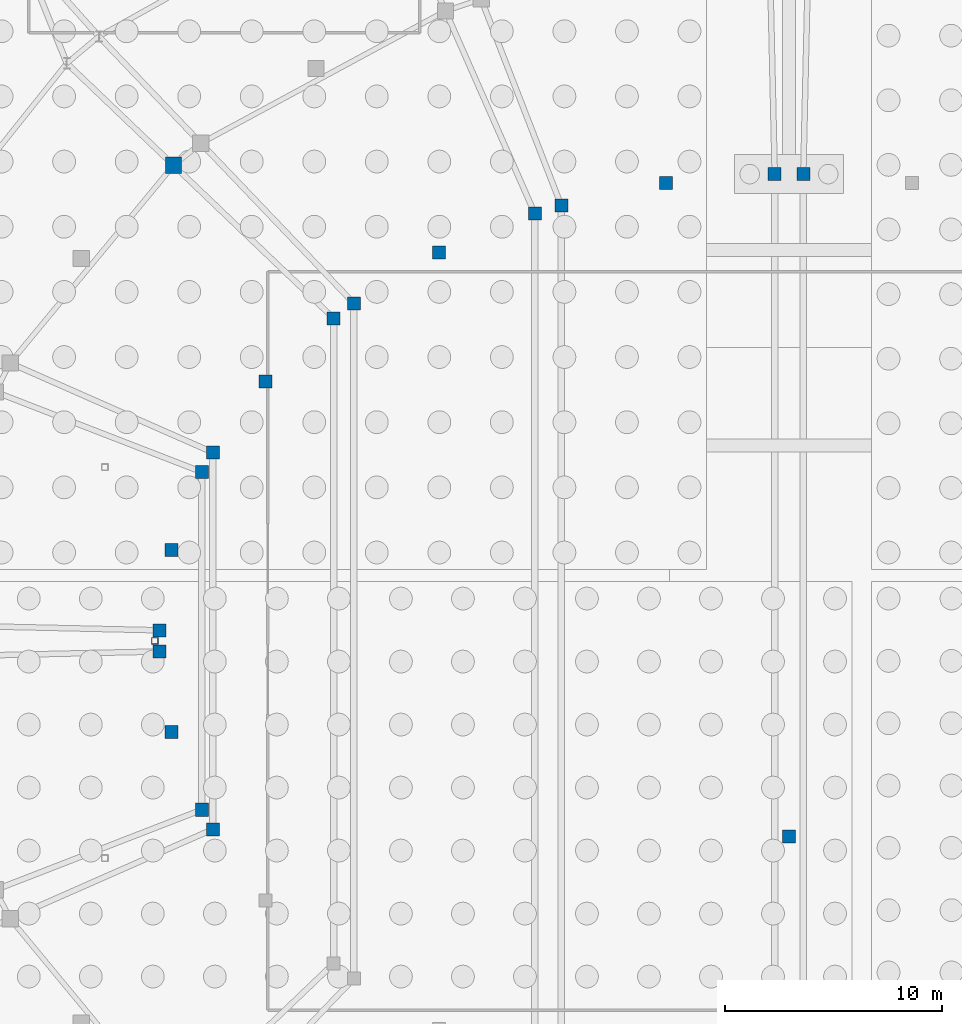
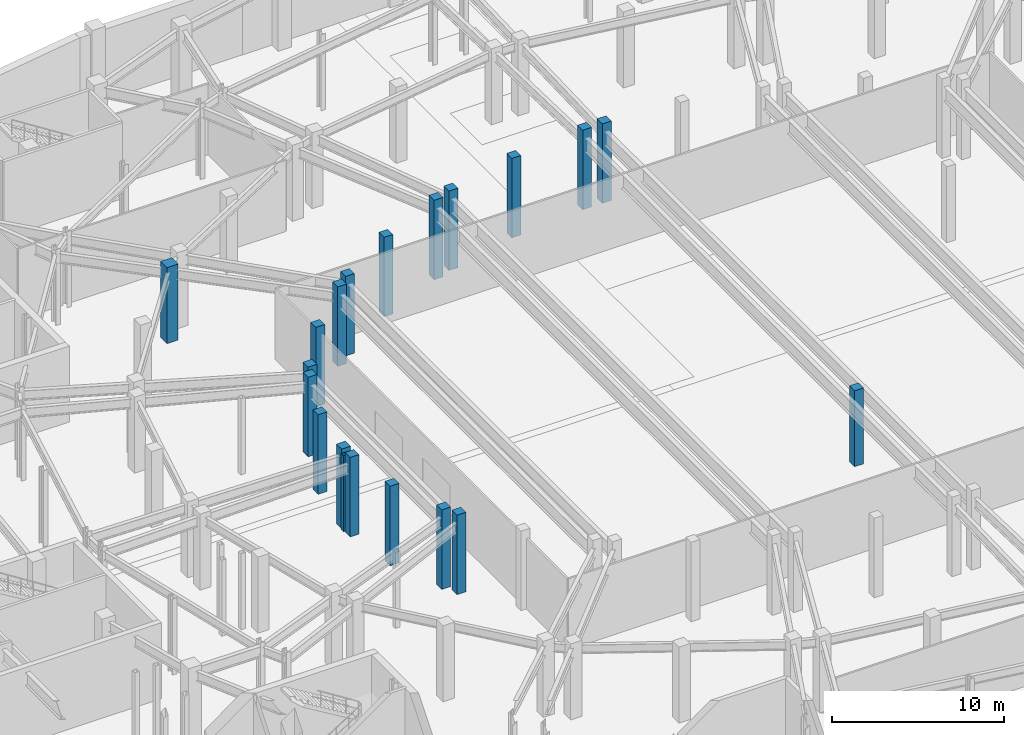
# One storey, part 21 of 56: 20 columns.
"""IFC4 building model written with IfcOpenShell, lengths in metres."""

from ifc_helpers import new_model, si_unit, direction, frame, origin, origin_2d, place, context, subcontext, project, spatial, rectangle, hollow_rectangle, extrude, material, material_profile, profile_set, type_object, element, save


model = new_model("IFC4")

# Units and contexts
model_context = context("Model", 3, precision=1e-05, world=origin(), true_north=direction((0.0, 1.0)))
body_context = subcontext(model_context, "Body", "Model", "MODEL_VIEW")
ifc_project = project(units=[si_unit("LENGTHUNIT", "METRE"), si_unit("AREAUNIT", "SQUARE_METRE"), si_unit("VOLUMEUNIT", "CUBIC_METRE"), si_unit("PLANEANGLEUNIT", "RADIAN"), si_unit("MASSUNIT", "GRAM", prefix="KILO")], contexts=[model_context])

# Site, building, storey
site_placement = place(None, origin())
site = spatial("IfcSite", under=ifc_project, at=site_placement, CompositionType="ELEMENT")
building_placement = place(site_placement, origin())
building = spatial("IfcBuilding", under=site, at=building_placement, Name="Glasvene Arena", CompositionType="ELEMENT")
storey_placement = place(building_placement, frame((0.0, 0.0, -5.39990234375)))
storey = spatial("IfcBuildingStorey", under=building, at=storey_placement, Name="B1", CompositionType="ELEMENT", Elevation=-5.39990234375)

# Columns
ifc_material_1 = material(Name="Concrete C40/50", Category="concrete")
ifc_material_profile_1 = material_profile(ifc_material_1, rectangle(XDim=0.60009765625, YDim=0.60009765625, at=origin_2d()), Name="RC 600x600")
ifc_profile_set_1 = profile_set([ifc_material_profile_1], Name="Concrete C40/50")
column_type_1 = type_object("IfcColumnType", Name="COL-IN-RC600", PredefinedType="COLUMN", material=ifc_profile_set_1)
for number, where, z_axis, x_axis, name in (
    (1, (92.657958984375, 94.494384765625, 0.0), (0.0, 0.0, 1.0), (1.0, 0.0, 0.0), "Inner pitch raker column B1 04-2"),
    (2, (91.342041015625, 94.494384765625, 0.0), (0.0, 0.0, 1.0), (1.0, 0.0, 0.0), "Inner pitch raker column B1 05-1"),
    (3, (81.512939453125, 93.044921875, 0.0), (0.0, 0.0, 1.0), (1.0, 0.0, 0.0), "Inner pitch raker column B1 05-2"),
    (4, (80.297119140625, 92.671630859375, 0.0), (0.0, 0.0, 1.0), (1.0, 0.0, 0.0), "Inner pitch raker column B1 06-1"),
    (5, (71.96435546875, 88.543701171875, 0.0), (0.0, 0.0, 1.0), (1.0, 0.0, 0.0), "Inner pitch raker column B1 06-2"),
    (6, (71.033935546875, 87.85400390625, 0.0), (0.0, 0.0, 1.0), (1.0, 0.0, 0.0), "Inner pitch raker column B1 07-1"),
    (7, (65.46630859375, 81.67626953125, 0.0), (0.0, 0.0, 1.0), (1.0, 0.0, 0.0), "Inner pitch raker column B1 07-2"),
    (8, (64.962646484375, 80.77490234375, 0.0), (0.0, 0.0, 1.0), (1.0, 0.0, 0.0), "Inner pitch raker column B1 08-1"),
    (9, (63.007568359375, 73.48779296875, 0.0), (0.0, 0.0, 1.0), (1.0, 0.0, 0.0), "Inner pitch raker column B1 08-2"),
    (10, (63.007568359375, 72.51220703125, 0.0), (0.0, 0.0, 1.0), (1.0, 0.0, 0.0), "Inner pitch raker column B1 09-1"),
    (11, (64.962646484375, 65.22509765625, 0.0), (0.0, 0.0, 1.0), (1.0, 0.0, 0.0), "Inner pitch raker column B1 09-2"),
    (12, (65.46630859375, 64.32373046875, 0.0), (0.0, 0.0, 1.0), (1.0, 0.0, 0.0), "Inner pitch raker column B1 10-1"),
):
    element("IfcColumn", number, at=place(storey_placement, frame(where, z_axis=z_axis, x_axis=x_axis)), inside=storey, type_object=column_type_1, Name=name, PredefinedType="COLUMN", context=body_context, shape_type="SweptSolid", body=[
        extrude(rectangle(XDim=0.60009765625, YDim=0.60009765625, at=origin_2d()), origin(), (0.0, 0.0, 1.0), 5.64990234375),
    ])
column_1_placement = place(storey_placement, frame((92.0, 64.0, 0.0), z_axis=(0.0, 0.0, 1.0), x_axis=(1.0, 0.0, 0.0)))
element("IfcColumn", 13, at=column_1_placement, inside=storey, type_object=column_type_1, Name="Event floor central support column B1-1", PredefinedType="COLUMN", context=body_context, shape_type="SweptSolid", body=[
    extrude(rectangle(XDim=0.60009765625, YDim=0.60009765625, at=origin_2d()), origin(), (0.0, 0.0, 1.0), 5.39990234375),
])
for number, where, z_axis, x_axis, name in (
    (14, (86.34228515625, 94.0869140625, 0.0), (0.0, 0.0, 1.0), (1.0, 0.0, 0.0), "Mid-sector pitch raker column 05"),
    (15, (75.888427734375, 90.876708984375, 0.0), (0.0, 0.0, 1.0), (1.0, 0.0, 0.0), "Mid-sector pitch raker column 06"),
    (16, (67.887451171875, 84.94482421875, 0.0), (0.0, 0.0, 1.0), (1.0, 0.0, 0.0), "Mid-sector pitch raker column 07"),
    (17, (63.55712890625, 77.1943359375, 0.0), (0.0, 0.0, 1.0), (1.0, 0.0, 0.0), "Mid-sector pitch raker column 08"),
    (18, (63.55712890625, 68.8056640625, 0.0), (0.0, 0.0, 1.0), (1.0, 0.0, 0.0), "Mid-sector pitch raker column 09"),
):
    element("IfcColumn", number, at=place(storey_placement, frame(where, z_axis=z_axis, x_axis=x_axis)), inside=storey, type_object=column_type_1, Name=name, PredefinedType="COLUMN", context=body_context, shape_type="SweptSolid", body=[
        extrude(rectangle(XDim=0.60009765625, YDim=0.60009765625, at=origin_2d()), origin(), (0.0, 0.0, 1.0), 5.64990234375),
    ])
ifc_material_profile_2 = material_profile(ifc_material_1, rectangle(XDim=0.75, YDim=0.75, at=origin_2d()), Name="RC 750x750")
ifc_profile_set_2 = profile_set([ifc_material_profile_2], Name="Concrete C40/50")
column_type_2 = type_object("IfcColumnType", Name="COL-MID-RC750", PredefinedType="COLUMN", material=ifc_profile_set_2)
column_2_placement = place(storey_placement, frame((63.65966796875, 94.90087890625, 0.0), z_axis=(0.0, 0.0, 1.0), x_axis=(1.0, 0.0, 0.0)))
element("IfcColumn", 19, at=column_2_placement, inside=storey, type_object=column_type_2, Name="Mid-bowl fulcrum column B1 07-1", PredefinedType="COLUMN", context=body_context, shape_type="SweptSolid", body=[
    extrude(rectangle(XDim=0.75, YDim=0.75, at=origin_2d()), origin(), (0.0, 0.0, 1.0), 5.39990234375),
])
ifc_material_2 = material(Name="Steel S355J2", Category="steel")
ifc_material_profile_3 = material_profile(ifc_material_2, hollow_rectangle(XDim=0.300048828125, YDim=0.300048828125, WallThickness=0.012451171875, at=origin_2d()), Name="SHS 300x300x12.5")
ifc_profile_set_3 = profile_set([ifc_material_profile_3], Name="Steel S355J2")
column_type_3 = type_object("IfcColumnType", Name="COL-W-SHS300", PredefinedType="COLUMN", material=ifc_profile_set_3)
column_3_placement = place(storey_placement, frame((62.800048828125, 73.0, 0.0), z_axis=(0.0, 0.0, 1.0), x_axis=(1.0, 0.0, 0.0)))
element("IfcColumn", 20, at=column_3_placement, inside=storey, type_object=column_type_3, Name="Sector 3-3 support column B1-3", PredefinedType="COLUMN", context=body_context, shape_type="SweptSolid", body=[
    extrude(hollow_rectangle(XDim=0.300048828125, YDim=0.300048828125, WallThickness=0.012451171875, at=origin_2d()), origin(), (0.0, 0.0, 1.0), 5.39990234375),
])

save(model, "model.ifc")
